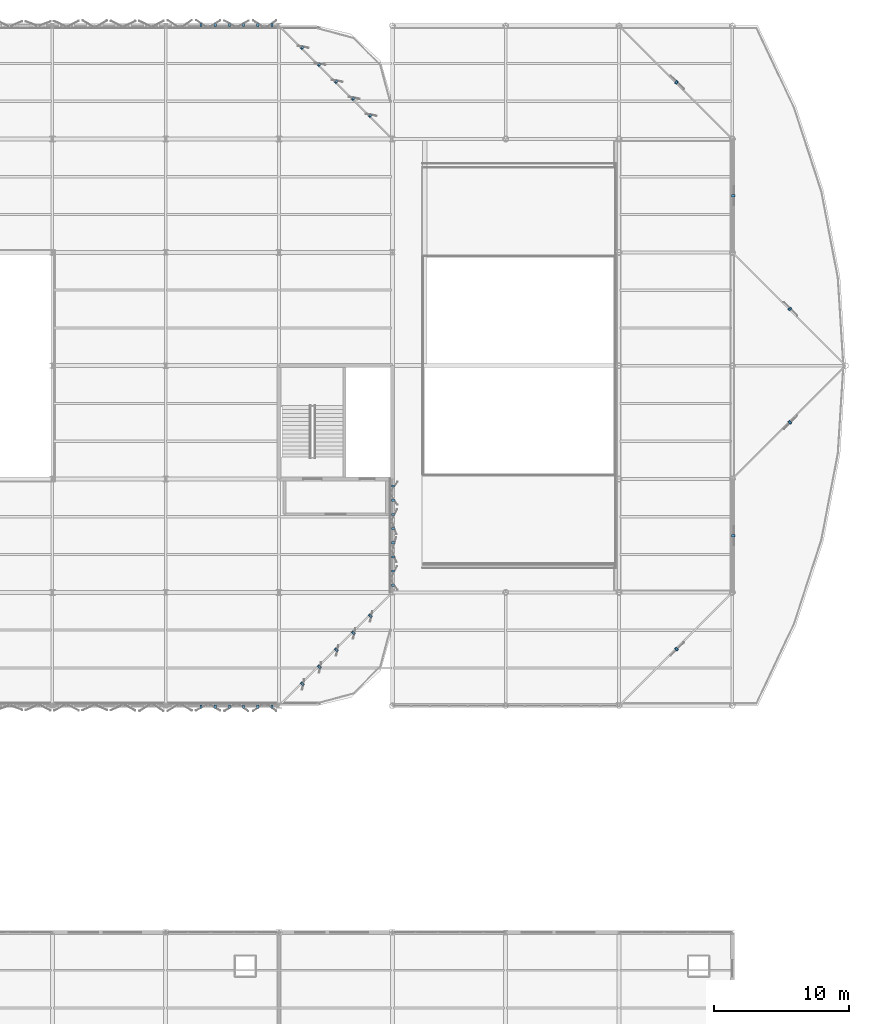
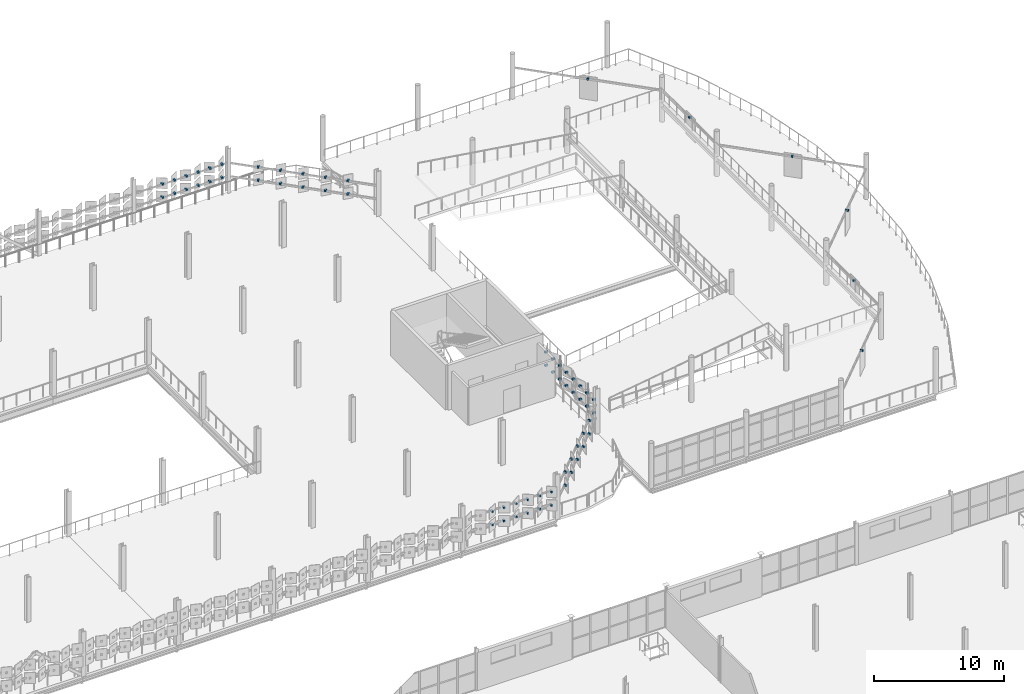
# One storey, part 152 of 163: 66 discrete accessories.
"""IFC4 building model written with IfcOpenShell, lengths in metres."""

from ifc_helpers import new_model, si_unit, direction, frame, origin, origin_2d, place, context, subcontext, project, spatial, rectangle, extrude, material, type_object, element, save


model = new_model("IFC4")

# Units and contexts
model_context = context("Model", 3, precision=1e-05, world=origin(), true_north=direction((0.0, 1.0)))
body_context = subcontext(model_context, "Body", "Model", "MODEL_VIEW")
ifc_project = project(units=[si_unit("LENGTHUNIT", "METRE"), si_unit("AREAUNIT", "SQUARE_METRE"), si_unit("VOLUMEUNIT", "CUBIC_METRE"), si_unit("PLANEANGLEUNIT", "RADIAN"), si_unit("MASSUNIT", "GRAM", prefix="KILO")], contexts=[model_context])

# Site, building, storey
site_placement = place(None, origin())
site = spatial("IfcSite", under=ifc_project, at=site_placement, CompositionType="ELEMENT")
building_placement = place(site_placement, origin())
building = spatial("IfcBuilding", under=site, at=building_placement, Name="Qalvenar Corner Mobility Hub", CompositionType="ELEMENT")
storey_placement = place(building_placement, frame((0.0, 0.0, 4.800048828125)))
storey = spatial("IfcBuildingStorey", under=building, at=storey_placement, Name="L01", CompositionType="ELEMENT", Elevation=4.800048828125)

# Discrete accessories
ifc_material = material(Name="Steel S355", Category="steel")
discrete_accessory_type = type_object("IfcDiscreteAccessoryType", Name="ACC-HINGE-BRK", PredefinedType="BRACKET", material=ifc_material)
for number, where, z_axis, x_axis, name in (
    (1, (128.625, 67.1201171875, 1.419921875), (0.0, 0.0, 1.0), (1.0, 0.0, 0.0), "Panel Hinge Bracket BK-L01-0117"),
    (2, (128.625, 67.1201171875, 2.669921875), (0.0, 0.0, 1.0), (1.0, 0.0, 0.0), "Panel Hinge Bracket BK-L01-0118"),
    (3, (129.675048828125, 67.1201171875, 1.419921875), (0.0, 0.0, 1.0), (1.0, 0.0, 0.0), "Panel Hinge Bracket BK-L01-0119"),
    (4, (129.675048828125, 67.1201171875, 2.669921875), (0.0, 0.0, 1.0), (1.0, 0.0, 0.0), "Panel Hinge Bracket BK-L01-0120"),
    (5, (130.72509765625, 67.1201171875, 1.419921875), (0.0, 0.0, 1.0), (1.0, 0.0, 0.0), "Panel Hinge Bracket BK-L01-0121"),
    (6, (130.72509765625, 67.1201171875, 2.669921875), (0.0, 0.0, 1.0), (1.0, 0.0, 0.0), "Panel Hinge Bracket BK-L01-0122"),
    (7, (131.77490234375, 67.1201171875, 1.419921875), (0.0, 0.0, 1.0), (1.0, 0.0, 0.0), "Panel Hinge Bracket BK-L01-0123"),
    (8, (131.77490234375, 67.1201171875, 2.669921875), (0.0, 0.0, 1.0), (1.0, 0.0, 0.0), "Panel Hinge Bracket BK-L01-0124"),
    (9, (132.824951171875, 67.1201171875, 1.419921875), (0.0, 0.0, 1.0), (1.0, 0.0, 0.0), "Panel Hinge Bracket BK-L01-0125"),
    (10, (132.824951171875, 67.1201171875, 2.669921875), (0.0, 0.0, 1.0), (1.0, 0.0, 0.0), "Panel Hinge Bracket BK-L01-0126"),
    (11, (133.875, 67.1201171875, 1.419921875), (0.0, 0.0, 1.0), (1.0, 0.0, 0.0), "Panel Hinge Bracket BK-L01-0127"),
    (12, (133.875, 67.1201171875, 2.669921875), (0.0, 0.0, 1.0), (1.0, 0.0, 0.0), "Panel Hinge Bracket BK-L01-0128"),
    (13, (133.875, 117.679931640625, 1.419921875), (0.0, 0.0, 1.0), (-1.0, 0.0, 0.0), "Panel Hinge Bracket BK-L01-0129"),
    (14, (133.875, 117.679931640625, 2.669921875), (0.0, 0.0, 1.0), (-1.0, 0.0, 0.0), "Panel Hinge Bracket BK-L01-0130"),
    (15, (132.824951171875, 117.679931640625, 1.419921875), (0.0, 0.0, 1.0), (-1.0, 0.0, 0.0), "Panel Hinge Bracket BK-L01-0131"),
    (16, (132.824951171875, 117.679931640625, 2.669921875), (0.0, 0.0, 1.0), (-1.0, 0.0, 0.0), "Panel Hinge Bracket BK-L01-0132"),
    (17, (131.77490234375, 117.679931640625, 1.419921875), (0.0, 0.0, 1.0), (-1.0, 0.0, 0.0), "Panel Hinge Bracket BK-L01-0133"),
    (18, (131.77490234375, 117.679931640625, 2.669921875), (0.0, 0.0, 1.0), (-1.0, 0.0, 0.0), "Panel Hinge Bracket BK-L01-0134"),
    (19, (130.72509765625, 117.679931640625, 1.419921875), (0.0, 0.0, 1.0), (-1.0, 0.0, 0.0), "Panel Hinge Bracket BK-L01-0135"),
    (20, (130.72509765625, 117.679931640625, 2.669921875), (0.0, 0.0, 1.0), (-1.0, 0.0, 0.0), "Panel Hinge Bracket BK-L01-0136"),
    (21, (129.675048828125, 117.679931640625, 1.419921875), (0.0, 0.0, 1.0), (-1.0, 0.0, 0.0), "Panel Hinge Bracket BK-L01-0137"),
    (22, (129.675048828125, 117.679931640625, 2.669921875), (0.0, 0.0, 1.0), (-1.0, 0.0, 0.0), "Panel Hinge Bracket BK-L01-0138"),
    (23, (128.625, 117.679931640625, 1.419921875), (0.0, 0.0, 1.0), (-1.0, 0.0, 0.0), "Panel Hinge Bracket BK-L01-0139"),
    (24, (128.625, 117.679931640625, 2.669921875), (0.0, 0.0, 1.0), (-1.0, 0.0, 0.0), "Panel Hinge Bracket BK-L01-0140"),
    (25, (142.8798828125, 76.125, 1.419921875), (0.0, 0.0, 1.0), (0.0, 1.0, 0.0), "Panel Hinge Bracket BK-L01-0305"),
    (26, (142.8798828125, 76.125, 2.669921875), (0.0, 0.0, 1.0), (0.0, 1.0, 0.0), "Panel Hinge Bracket BK-L01-0306"),
    (27, (142.8798828125, 77.175048828125, 1.419921875), (0.0, 0.0, 1.0), (0.0, 1.0, 0.0), "Panel Hinge Bracket BK-L01-0307"),
    (28, (142.8798828125, 77.175048828125, 2.669921875), (0.0, 0.0, 1.0), (0.0, 1.0, 0.0), "Panel Hinge Bracket BK-L01-0308"),
    (29, (142.8798828125, 78.22509765625, 1.419921875), (0.0, 0.0, 1.0), (0.0, 1.0, 0.0), "Panel Hinge Bracket BK-L01-0309"),
    (30, (142.8798828125, 78.22509765625, 2.669921875), (0.0, 0.0, 1.0), (0.0, 1.0, 0.0), "Panel Hinge Bracket BK-L01-0310"),
    (31, (142.8798828125, 79.27490234375, 1.419921875), (0.0, 0.0, 1.0), (0.0, 1.0, 0.0), "Panel Hinge Bracket BK-L01-0311"),
    (32, (142.8798828125, 79.27490234375, 2.669921875), (0.0, 0.0, 1.0), (0.0, 1.0, 0.0), "Panel Hinge Bracket BK-L01-0312"),
    (33, (142.8798828125, 80.324951171875, 1.419921875), (0.0, 0.0, 1.0), (0.0, 1.0, 0.0), "Panel Hinge Bracket BK-L01-0313"),
    (34, (142.8798828125, 80.324951171875, 2.669921875), (0.0, 0.0, 1.0), (0.0, 1.0, 0.0), "Panel Hinge Bracket BK-L01-0314"),
    (35, (142.8798828125, 81.375, 1.419921875), (0.0, 0.0, 1.0), (0.0, 1.0, 0.0), "Panel Hinge Bracket BK-L01-0315"),
    (36, (142.8798828125, 81.375, 2.669921875), (0.0, 0.0, 1.0), (0.0, 1.0, 0.0), "Panel Hinge Bracket BK-L01-0316"),
    (37, (142.8798828125, 82.425048828125, 1.419921875), (0.0, 0.0, 1.0), (0.0, 1.0, 0.0), "Panel Hinge Bracket BK-L01-0317"),
    (38, (142.8798828125, 82.425048828125, 2.669921875), (0.0, 0.0, 1.0), (0.0, 1.0, 0.0), "Panel Hinge Bracket BK-L01-0318"),
    (39, (142.8798828125, 83.47509765625, 1.419921875), (0.0, 0.0, 1.0), (0.0, 1.0, 0.0), "Panel Hinge Bracket BK-L01-0319"),
    (40, (142.8798828125, 83.47509765625, 2.669921875), (0.0, 0.0, 1.0), (0.0, 1.0, 0.0), "Panel Hinge Bracket BK-L01-0320"),
    (41, (136.13671875, 68.823486328125, 1.419921875), (0.0, 0.0, 1.0), (0.707106781187, 0.707106781187, 0.0), "Corner Hinge Bracket BKC-L01-0331"),
    (42, (137.396484375, 70.08349609375, 1.419921875), (0.0, 0.0, 1.0), (0.707106781187, 0.707106781187, 0.0), "Corner Hinge Bracket BKC-L01-0332"),
    (43, (138.656494140625, 71.343505859375, 1.419921875), (0.0, 0.0, 1.0), (0.707106781187, 0.707106781187, 0.0), "Corner Hinge Bracket BKC-L01-0333"),
    (44, (139.91650390625, 72.603515625, 1.419921875), (0.0, 0.0, 1.0), (0.707106781187, 0.707106781187, 0.0), "Corner Hinge Bracket BKC-L01-0334"),
    (45, (141.176513671875, 73.86328125, 1.419921875), (0.0, 0.0, 1.0), (0.707106781187, 0.707106781187, 0.0), "Corner Hinge Bracket BKC-L01-0335"),
    (46, (136.13671875, 68.823486328125, 2.669921875), (0.0, 0.0, 1.0), (0.707106781187, 0.707106781187, 0.0), "Corner Hinge Bracket BKC-L01-0336"),
    (47, (137.396484375, 70.08349609375, 2.669921875), (0.0, 0.0, 1.0), (0.707106781187, 0.707106781187, 0.0), "Corner Hinge Bracket BKC-L01-0337"),
    (48, (138.656494140625, 71.343505859375, 2.669921875), (0.0, 0.0, 1.0), (0.707106781187, 0.707106781187, 0.0), "Corner Hinge Bracket BKC-L01-0338"),
    (49, (139.91650390625, 72.603515625, 2.669921875), (0.0, 0.0, 1.0), (0.707106781187, 0.707106781187, 0.0), "Corner Hinge Bracket BKC-L01-0339"),
    (50, (141.176513671875, 73.86328125, 2.669921875), (0.0, 0.0, 1.0), (0.707106781187, 0.707106781187, 0.0), "Corner Hinge Bracket BKC-L01-0340"),
    (51, (141.176513671875, 110.9365234375, 1.419921875), (0.0, 0.0, 1.0), (-0.707106781187, 0.707106781187, 0.0), "Corner Hinge Bracket BKC-L01-0341"),
    (52, (139.91650390625, 112.196533203125, 1.419921875), (0.0, 0.0, 1.0), (-0.707106781187, 0.707106781187, 0.0), "Corner Hinge Bracket BKC-L01-0342"),
    (53, (138.656494140625, 113.45654296875, 1.419921875), (0.0, 0.0, 1.0), (-0.707106781187, 0.707106781187, 0.0), "Corner Hinge Bracket BKC-L01-0343"),
    (54, (137.396484375, 114.716552734375, 1.419921875), (0.0, 0.0, 1.0), (-0.707106781187, 0.707106781187, 0.0), "Corner Hinge Bracket BKC-L01-0344"),
    (55, (136.13671875, 115.9765625, 1.419921875), (0.0, 0.0, 1.0), (-0.707106781187, 0.707106781187, 0.0), "Corner Hinge Bracket BKC-L01-0345"),
    (56, (141.176513671875, 110.9365234375, 2.669921875), (0.0, 0.0, 1.0), (-0.707106781187, 0.707106781187, 0.0), "Corner Hinge Bracket BKC-L01-0346"),
    (57, (139.91650390625, 112.196533203125, 2.669921875), (0.0, 0.0, 1.0), (-0.707106781187, 0.707106781187, 0.0), "Corner Hinge Bracket BKC-L01-0347"),
    (58, (138.656494140625, 113.45654296875, 2.669921875), (0.0, 0.0, 1.0), (-0.707106781187, 0.707106781187, 0.0), "Corner Hinge Bracket BKC-L01-0348"),
    (59, (137.396484375, 114.716552734375, 2.669921875), (0.0, 0.0, 1.0), (-0.707106781187, 0.707106781187, 0.0), "Corner Hinge Bracket BKC-L01-0349"),
    (60, (136.13671875, 115.9765625, 2.669921875), (0.0, 0.0, 1.0), (-0.707106781187, 0.707106781187, 0.0), "Corner Hinge Bracket BKC-L01-0350"),
):
    element("IfcDiscreteAccessory", number, at=place(storey_placement, frame(where, z_axis=z_axis, x_axis=x_axis)), inside=storey, type_object=discrete_accessory_type, Name=name, PredefinedType="BRACKET", context=body_context, shape_type="SweptSolid", body=[
        extrude(rectangle(XDim=0.159912109375, YDim=0.260009765625, at=origin_2d()), origin(), (0.0, 0.0, 1.0), 0.159912109375),
    ])
for number, where, z_axis, x_axis, name in (
    (61, (163.860107421875, 71.39990234375, 2.77001953125), (0.0, 0.0, 1.0), (0.707106781187, 0.707106781187, 0.0), "Rotunda Screen Bracket BKV2-L01-1"),
    (62, (168.06005859375, 79.800048828125, 2.77001953125), (0.0, 0.0, 1.0), (0.0, 1.0, 0.0), "Rotunda Screen Bracket BKV2-L01-2"),
    (63, (172.260009765625, 88.199951171875, 2.77001953125), (0.0, 0.0, 1.0), (0.707106781187, 0.707106781187, 0.0), "Rotunda Screen Bracket BKV2-L01-3"),
    (64, (172.260009765625, 96.60009765625, 2.77001953125), (0.0, 0.0, 1.0), (-0.707106781187, 0.707106781187, 0.0), "Rotunda Screen Bracket BKV2-L01-4"),
    (65, (168.06005859375, 105.0, 2.77001953125), (0.0, 0.0, 1.0), (0.0, 1.0, 0.0), "Rotunda Screen Bracket BKV2-L01-5"),
    (66, (163.860107421875, 113.39990234375, 2.77001953125), (0.0, 0.0, 1.0), (-0.707106781187, 0.707106781187, 0.0), "Rotunda Screen Bracket BKV2-L01-6"),
):
    element("IfcDiscreteAccessory", number, at=place(storey_placement, frame(where, z_axis=z_axis, x_axis=x_axis)), inside=storey, type_object=discrete_accessory_type, Name=name, PredefinedType="BRACKET", context=body_context, shape_type="SweptSolid", body=[
        extrude(rectangle(XDim=0.159912109375, YDim=0.239990234375, at=origin_2d()), origin(), (0.0, 0.0, 1.0), 0.159912109375),
    ])

save(model, "model.ifc")
